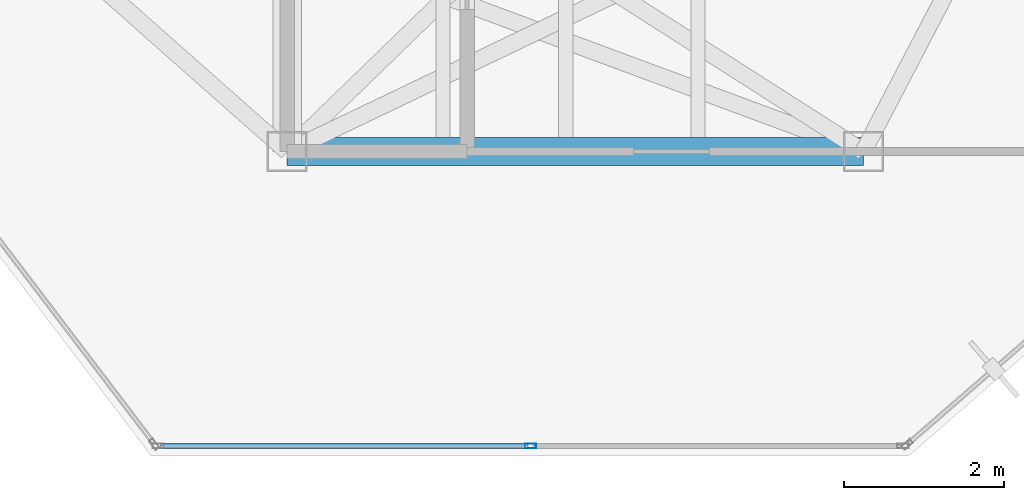
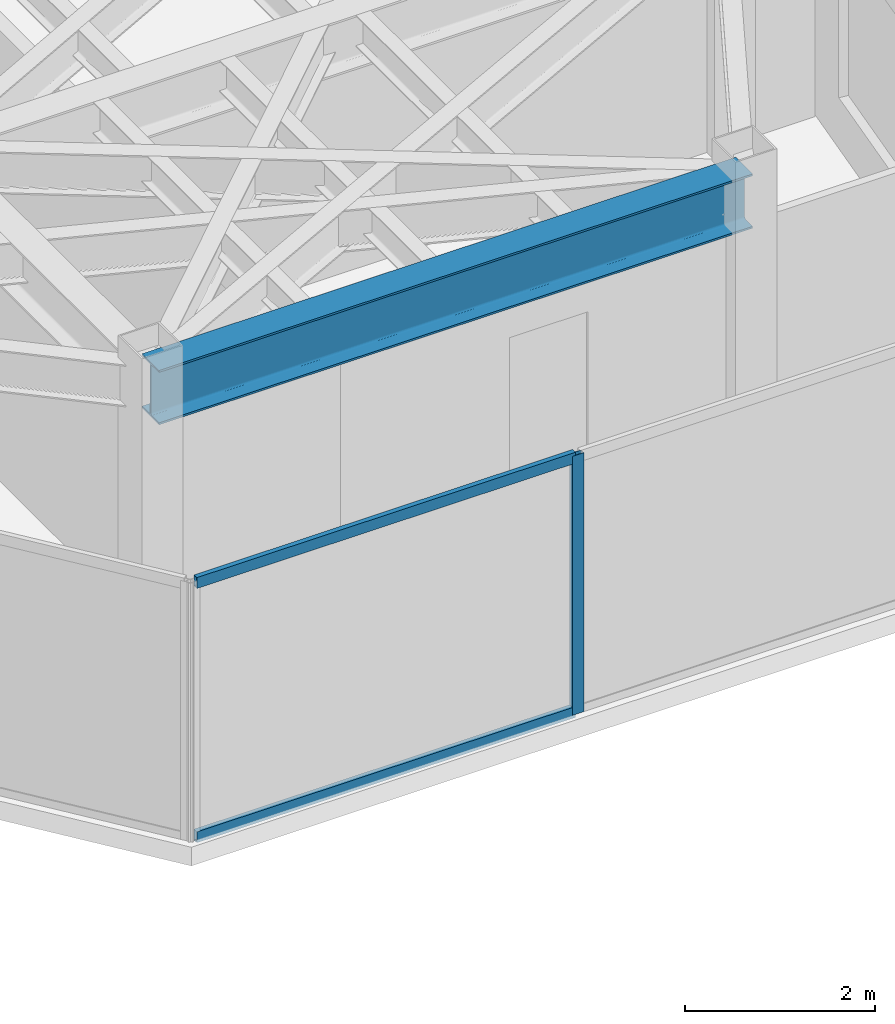
# One storey, part 7 of 19: 3 members, 1 beam, 1 element without a shape of its own.
"""IFC4 building model written with IfcOpenShell, lengths in metres."""

import ifcopenshell
import ifcopenshell.guid

model = None  # the IFC model being written
_history = None  # IfcOwnerHistory: only IFC2X3 demands one
_inside = {}  # id of a spatial element -> (the spatial element, [elements in it])
_under = {}  # id of a project, library or spatial element -> (it, [spatial elements below it])
_declared = {}  # id of a project -> (the project, [libraries it declares])
_typed = {}  # id of a type object -> (the type object, [elements of that type])
_made_of = {}  # id of a material, layer set ... -> (it, [elements and type objects made of it])


def new_model(schema):
    """Start an empty IFC model of exactly this schema.

    Asked for "IFC4X3", IfcOpenShell would pick the latest addendum, in which some entities
    have other attributes; the version numbers below select the first issue.
    IFC2X3 requires an IfcOwnerHistory on every rooted entity: one is made here for all.
    """
    global model, _history
    if schema == "IFC4X3":
        model = ifcopenshell.file(schema_version=(4, 3, 0, 0))
    else:
        model = ifcopenshell.file(schema=schema)
    _inside.clear()
    _under.clear()
    _declared.clear()
    _typed.clear()
    _made_of.clear()
    _history = None
    if model.schema == "IFC2X3":
        org = make("IfcOrganization", Name="unknown")
        user = make(
            "IfcPersonAndOrganization",
            ThePerson=make("IfcPerson", FamilyName="unknown"),
            TheOrganization=org,
        )
        app = make(
            "IfcApplication",
            ApplicationDeveloper=org,
            Version="unknown",
            ApplicationFullName="unknown",
            ApplicationIdentifier="unknown",
        )
        _history = make(
            "IfcOwnerHistory",
            OwningUser=user,
            OwningApplication=app,
            ChangeAction="ADDED",
            CreationDate=0,
        )
    return model


def make(cls, **values):
    """One entity of the class cls with the attributes given. An attribute that is None is left unset."""
    return model.create_entity(
        cls, **{name: value for name, value in values.items() if value is not None}
    )


def rooted(cls, **values):
    """An entity with a GlobalId (a new one), such as an element, a storey or a relation."""
    return make(cls, GlobalId=ifcopenshell.guid.new(), OwnerHistory=_history, **values)


def si_unit(unit_type, name, prefix=None):
    """IfcSIUnit, for example si_unit("LENGTHUNIT", "METRE", prefix="MILLI")."""
    return make("IfcSIUnit", UnitType=unit_type, Prefix=prefix, Name=name)


def assignment(units):
    """IfcUnitAssignment: the units of a project."""
    return None if units is None else make("IfcUnitAssignment", Units=units)


def point(xyz):
    """IfcCartesianPoint."""
    return None if xyz is None else make("IfcCartesianPoint", Coordinates=xyz)


def direction(xyz):
    """IfcDirection."""
    return None if xyz is None else make("IfcDirection", DirectionRatios=xyz)


def frame(location, z_axis=None, x_axis=None):
    """IfcAxis2Placement3D, a coordinate frame: its origin and axes. An axis left out is left unset."""
    return make(
        "IfcAxis2Placement3D",
        Location=point(location),
        Axis=direction(z_axis),
        RefDirection=direction(x_axis),
    )


def frame_2d(location, x_axis=None):
    """IfcAxis2Placement2D, a coordinate frame in the plane: its origin and x axis."""
    return make(
        "IfcAxis2Placement2D", Location=point(location), RefDirection=direction(x_axis)
    )


def origin():
    """The frame at (0, 0, 0) with its axes left unset."""
    return frame((0.0, 0.0, 0.0))


def origin_2d():
    """The frame at (0, 0) in the plane with its x axis left unset."""
    return frame_2d((0.0, 0.0))


def place(relative_to, where):
    """IfcLocalPlacement: puts the frame where relative to a parent placement (None: the world)."""
    return make(
        "IfcLocalPlacement", PlacementRelTo=relative_to, RelativePlacement=where
    )


def context(
    kind, dimensions, precision=None, world=None, true_north=None, identifier=None
):
    """IfcGeometricRepresentationContext, for example the 3D "Model" context."""
    return make(
        "IfcGeometricRepresentationContext",
        ContextIdentifier=identifier,
        ContextType=kind,
        CoordinateSpaceDimension=dimensions,
        Precision=precision,
        WorldCoordinateSystem=world,
        TrueNorth=true_north,
    )


def subcontext(parent, identifier, kind, view, scale=None):
    """IfcGeometricRepresentationSubContext, for example "Body" below "Model"."""
    return make(
        "IfcGeometricRepresentationSubContext",
        ContextIdentifier=identifier,
        ContextType=kind,
        ParentContext=parent,
        TargetScale=scale,
        TargetView=view,
    )


def project(units=None, contexts=None):
    """IfcProject with its units and contexts."""
    return rooted(
        "IfcProject",
        Name="project",
        RepresentationContexts=contexts,
        UnitsInContext=assignment(units),
    )


def spatial(cls, under=None, at=None, **own):
    """A site, building, storey or space (cls), placed at a placement, below another one or the project."""
    s = rooted(cls, ObjectPlacement=at, **own)
    if under is not None:
        _under.setdefault(under.id(), (under, []))[1].append(s)
    return s


def profile(cls, at=None, kind="AREA", **sizes):
    """A parametric profile (cls). Its sizes go by their IFC names, for example OverallWidth=200.0."""
    return make(cls, ProfileType=kind, Position=at, **sizes)


def hollow_rectangle(**sizes):
    """IfcRectangleHollowProfileDef."""
    return profile("IfcRectangleHollowProfileDef", **sizes)


def i_section(**sizes):
    """IfcIShapeProfileDef."""
    return profile("IfcIShapeProfileDef", **sizes)


def extrude(swept, where, along, depth):
    """IfcExtrudedAreaSolid: the profile swept, set in the frame where, extruded along a direction by depth."""
    return make(
        "IfcExtrudedAreaSolid",
        SweptArea=swept,
        Position=where,
        ExtrudedDirection=direction(along),
        Depth=depth,
    )


def shape(context_of_items, identifier, shape_type, items):
    """IfcShapeRepresentation: the items that make up one representation, for example the "Body"."""
    return make(
        "IfcShapeRepresentation",
        ContextOfItems=context_of_items,
        RepresentationIdentifier=identifier,
        RepresentationType=shape_type,
        Items=items,
    )


def material(Name=None, Category=None):
    """IfcMaterial."""
    return make("IfcMaterial", Name=Name, Category=Category)


def layer(
    of_material, thickness, ventilated=None, Name=None, Category=None, Priority=None
):
    """IfcMaterialLayer: one layer of a wall or slab, of a material (None: an air gap)."""
    return make(
        "IfcMaterialLayer",
        Material=of_material,
        LayerThickness=thickness,
        IsVentilated=ventilated,
        Name=Name,
        Category=Category,
        Priority=Priority,
    )


def layer_set(layers, Name=None):
    """IfcMaterialLayerSet."""
    return make("IfcMaterialLayerSet", MaterialLayers=layers, LayerSetName=Name)


def material_profile(
    of_material, cross_section, Name=None, Category=None, Priority=None
):
    """IfcMaterialProfile: a cross section and its material."""
    return make(
        "IfcMaterialProfile",
        Name=Name,
        Material=of_material,
        Profile=cross_section,
        Priority=Priority,
        Category=Category,
    )


def profile_set(profiles, Name=None, composite=None):
    """IfcMaterialProfileSet."""
    return make(
        "IfcMaterialProfileSet",
        Name=Name,
        MaterialProfiles=profiles,
        CompositeProfile=composite,
    )


def made_of(thing, what):
    """Note that an element or type object is made of a material, layer set ...; save() writes the relation."""
    if what is not None:
        _made_of.setdefault(what.id(), (what, []))[1].append(thing)
    return thing


def type_object(cls, material=None, **own):
    """A type object (cls), such as IfcWallType, which elements share."""
    return made_of(rooted(cls, **own), material)


def element(
    cls,
    number,
    at=None,
    inside=None,
    cuts=None,
    type_object=None,
    material=None,
    context=None,
    identifier="Body",
    shape_type=None,
    held_by="IfcProductDefinitionShape",
    body=None,
    shapes=None,
    **own,
):
    """One element of the class cls, such as IfcWall. Its Tag is "e" and its number.

    at: its placement. inside: the storey or other place that contains it. cuts: it is an
    opening in that element (IfcRelVoidsElement). A single representation is given by context,
    identifier, shape_type and body (its items); several are given by shapes. held_by: the class
    of the entity that holds the representations. save() writes the other relations.
    """
    e = rooted(cls, Tag="e%d" % number, ObjectPlacement=at, **own)
    if body is not None:
        shapes = [shape(context, identifier, shape_type, body)]
    if shapes is not None:
        e.Representation = make(held_by, Representations=shapes)
    if inside is not None:
        _inside.setdefault(inside.id(), (inside, []))[1].append(e)
    if cuts is not None:
        rooted(
            "IfcRelVoidsElement", RelatingBuildingElement=cuts, RelatedOpeningElement=e
        )
    if type_object is not None:
        _typed.setdefault(type_object.id(), (type_object, []))[1].append(e)
    return made_of(e, material)


def aggregate(whole, parts):
    """IfcRelAggregates: a whole, such as a stair, and the parts it consists of."""
    return rooted("IfcRelAggregates", RelatingObject=whole, RelatedObjects=parts)


def save(model, path):
    """Write the relations noted so far, then the file.

    IfcRelAggregates (storeys below a building ...), IfcRelContainedInSpatialStructure (elements
    in a storey), IfcRelDefinesByType, IfcRelAssociatesMaterial and IfcRelDeclares: one each for
    every whole, place, type object, material and project.
    """
    for whole, parts in _under.values():
        aggregate(whole, parts)
    for where, things in _inside.values():
        rooted(
            "IfcRelContainedInSpatialStructure",
            RelatedElements=things,
            RelatingStructure=where,
        )
    for kind, things in _typed.values():
        rooted("IfcRelDefinesByType", RelatedObjects=things, RelatingType=kind)
    for what, things in _made_of.values():
        rooted("IfcRelAssociatesMaterial", RelatedObjects=things, RelatingMaterial=what)
    for by, libraries in _declared.values():
        rooted("IfcRelDeclares", RelatingContext=by, RelatedDefinitions=libraries)
    model.write(path)


model = new_model("IFC4")

# Units and contexts
model_context = context("Model", 3, precision=1e-05, world=origin(), true_north=direction((0.0, 1.0)))
body_context = subcontext(model_context, "Body", "Model", "MODEL_VIEW")
ifc_project = project(units=[si_unit("LENGTHUNIT", "METRE"), si_unit("AREAUNIT", "SQUARE_METRE"), si_unit("VOLUMEUNIT", "CUBIC_METRE"), si_unit("PLANEANGLEUNIT", "RADIAN"), si_unit("MASSUNIT", "GRAM", prefix="KILO")], contexts=[model_context])

# Site, building, storey
site_placement = place(None, origin())
site = spatial("IfcSite", under=ifc_project, at=site_placement, CompositionType="ELEMENT")
building_placement = place(site_placement, origin())
building = spatial("IfcBuilding", under=site, at=building_placement, Name="Kravanh Interchange Tower", CompositionType="ELEMENT")
storey_placement = place(building_placement, frame((0.0, 0.0, 274.199951171875)))
storey = spatial("IfcBuildingStorey", under=building, at=storey_placement, Name="L67", CompositionType="ELEMENT", Elevation=274.199951171875)

# Curtain wall, members
ifc_material_1 = material(Name="Anodised Bronze Aluminium", Category="aluminium")
ifc_layer = layer(ifc_material_1, 0.179931640625)
ifc_layer_set = layer_set([ifc_layer], Name="Unitised Curtain Wall System CW-HTL Luxury Hotel")
curtain_wall_type = type_object("IfcCurtainWallType", Name="Unitised Curtain Wall System CW-HTL Luxury Hotel", PredefinedType="NOTDEFINED", material=ifc_layer_set)
curtain_wall_placement = place(storey_placement, origin())
curtain_wall = element("IfcCurtainWall", 1, at=curtain_wall_placement, inside=storey, type_object=curtain_wall_type, Name="L67 Unitised Curtain Wall CW-L67-03", PredefinedType="NOTDEFINED")
ifc_material_2 = material(Name="Anodised Bronze Aluminium", Category="aluminium")
ifc_material_profile_1 = material_profile(ifc_material_2, hollow_rectangle(XDim=0.06005859375, YDim=0.139892578125, WallThickness=0.00390625, at=origin_2d()), Name="ALU60X140X4")
ifc_profile_set_1 = profile_set([ifc_material_profile_1], Name="Anodised Bronze Aluminium")
member_type_1 = type_object("IfcMemberType", Name="Curtain Wall Mullion ALU60X140X4 Bronze", PredefinedType="MULLION", material=ifc_profile_set_1)
member_1_placement = place(storey_placement, frame((59.042236328125, 18.52001953125, 0.0), z_axis=(0.0, 0.0, 1.0), x_axis=(0.0, -1.0, 0.0)))
member_1 = element("IfcMember", 2, at=member_1_placement, type_object=member_type_1, Name="CW-HTL mullion 2", PredefinedType="MULLION", context=body_context, shape_type="SweptSolid", body=[
    extrude(hollow_rectangle(XDim=0.06005859375, YDim=0.139892578125, WallThickness=0.00390625, at=origin_2d()), origin(), (0.0, 0.0, 1.0), 3.320068359375),
])
ifc_material_3 = material(Name="Anodised Bronze Aluminium", Category="aluminium")
ifc_material_profile_2 = material_profile(ifc_material_3, hollow_rectangle(XDim=0.06005859375, YDim=0.139892578125, WallThickness=0.00390625, at=origin_2d()), Name="ALU60X140X4")
ifc_profile_set_2 = profile_set([ifc_material_profile_2], Name="Anodised Bronze Aluminium")
member_type_2 = type_object("IfcMemberType", Name="Curtain Wall Transom ALU60X140X4 Bronze", PredefinedType="USERDEFINED", material=ifc_profile_set_2)
member_2_placement = place(storey_placement, frame((59.01220703125, 18.52001953125, 0.030029296875), z_axis=(-1.0, 0.0, 0.0), x_axis=(0.0, -1.0, 0.0)))
member_2 = element("IfcMember", 3, at=member_2_placement, type_object=member_type_2, Name="CW-HTL transom 2.1", ObjectType="TRANSOM", PredefinedType="USERDEFINED", context=body_context, shape_type="SweptSolid", body=[
    extrude(hollow_rectangle(XDim=0.06005859375, YDim=0.139892578125, WallThickness=0.00390625, at=origin_2d()), origin(), (0.0, 0.0, 1.0), 4.5927734375),
])
member_3_placement = place(storey_placement, frame((59.01220703125, 18.52001953125, 3.2900390625), z_axis=(-1.0, 0.0, 0.0), x_axis=(0.0, -1.0, 0.0)))
member_3 = element("IfcMember", 4, at=member_3_placement, type_object=member_type_2, Name="CW-HTL transom 2.2", ObjectType="TRANSOM", PredefinedType="USERDEFINED", context=body_context, shape_type="SweptSolid", body=[
    extrude(hollow_rectangle(XDim=0.06005859375, YDim=0.139892578125, WallThickness=0.00390625, at=origin_2d()), origin(), (0.0, 0.0, 1.0), 4.5927734375),
])
aggregate(curtain_wall, [member_1, member_2, member_3])

# Beam
ifc_material_4 = material(Name="Structural Steel S355", Category="steel")
ifc_material_profile_3 = material_profile(ifc_material_4, i_section(OverallWidth=0.35498046875, OverallDepth=0.696044921875, WebThickness=0.015380859375, FlangeThickness=0.02490234375, FilletRadius=0.02392578125, at=origin_2d()), Name="W27X146")
ifc_profile_set_3 = profile_set([ifc_material_profile_3], Name="Structural Steel S355")
beam_type = type_object("IfcBeamType", Name="Floor Beam W27X146 Structural Steel S355", PredefinedType="BEAM", material=ifc_profile_set_3)
beam_placement = place(storey_placement, frame((56.0, 22.199951171875, 2.97216796875), z_axis=(1.0, 0.0, 0.0), x_axis=(0.0, 1.0, 0.0)))
element("IfcBeam", 5, at=beam_placement, inside=storey, type_object=beam_type, Name="L67 Primary Floor Girder 33", PredefinedType="BEAM", context=body_context, shape_type="SweptSolid", body=[
    extrude(i_section(OverallWidth=0.35498046875, OverallDepth=0.696044921875, WebThickness=0.015380859375, FlangeThickness=0.02490234375, FilletRadius=0.02392578125, at=origin_2d()), origin(), (0.0, 0.0, 1.0), 7.199951171875),
])

save(model, "model.ifc")
